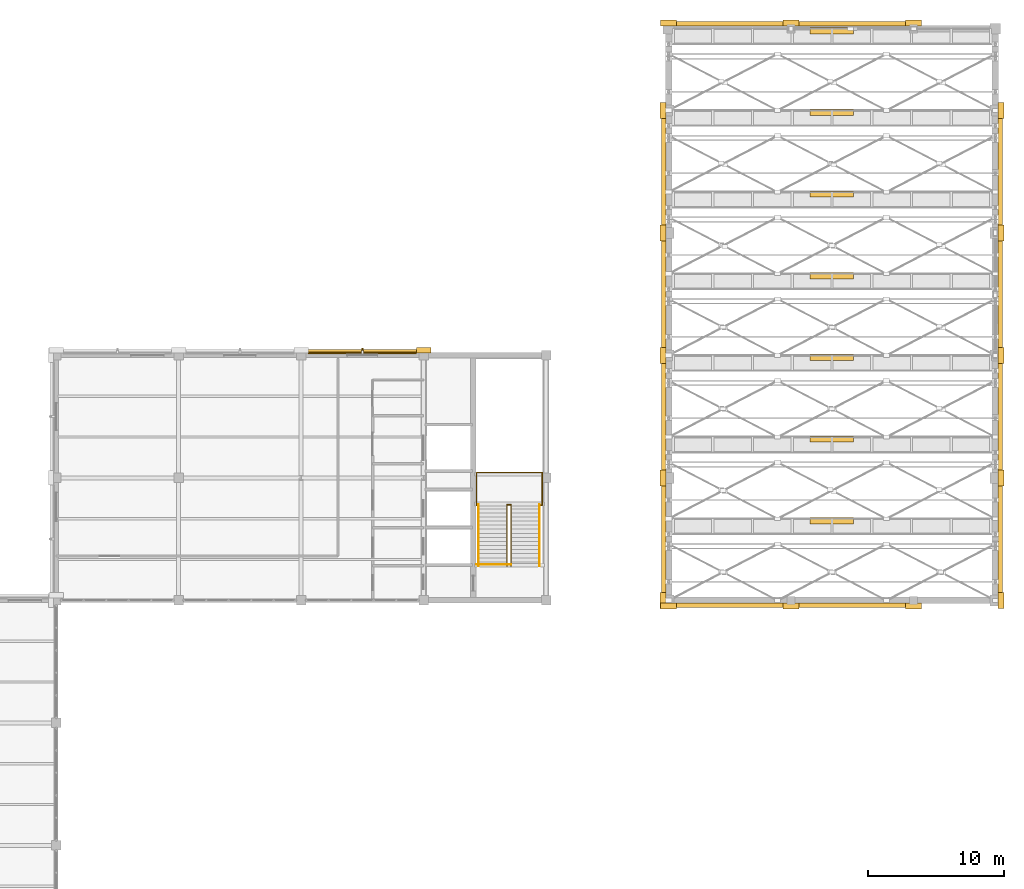
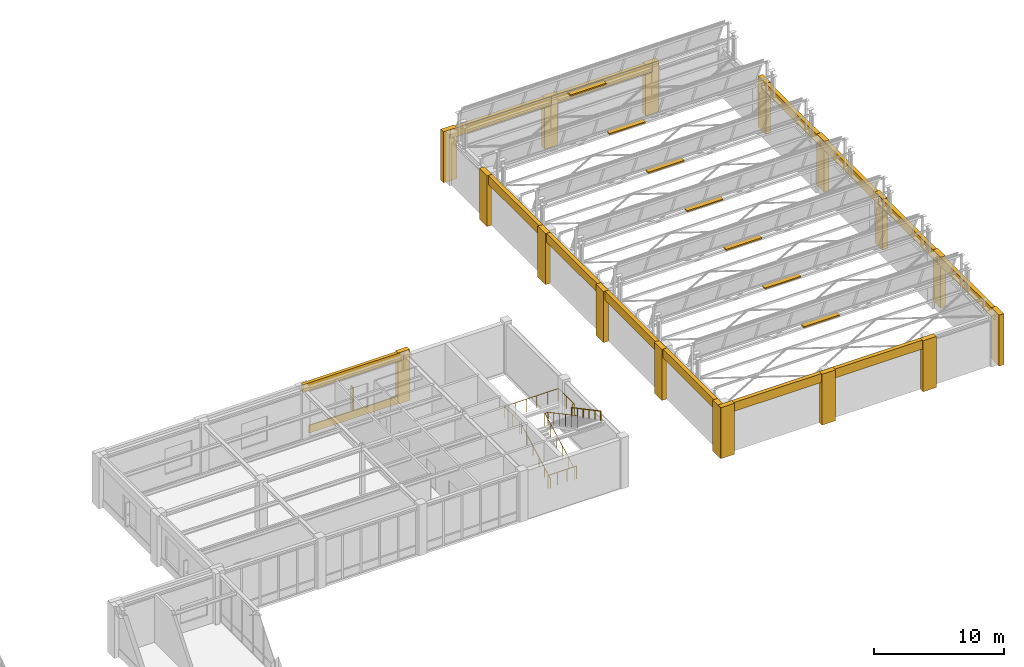
# One storey, part 98 of 98: 31 coverings, 8 shading devices, 5 railings.
"""IFC4 building model written with IfcOpenShell, lengths in metres."""

from ifc_helpers import new_model, si_unit, direction, frame, origin, origin_2d, place, context, subcontext, project, spatial, rectangle, circle, extrude, material, layer, layer_set, type_object, element, save


model = new_model("IFC4")

# Units and contexts
model_context = context("Model", 3, precision=1e-05, world=origin(), true_north=direction((0.0, 1.0)))
body_context = subcontext(model_context, "Body", "Model", "MODEL_VIEW")
ifc_project = project(units=[si_unit("LENGTHUNIT", "METRE"), si_unit("AREAUNIT", "SQUARE_METRE"), si_unit("VOLUMEUNIT", "CUBIC_METRE"), si_unit("PLANEANGLEUNIT", "RADIAN"), si_unit("MASSUNIT", "GRAM", prefix="KILO")], contexts=[model_context])

# Site, building, storey
site_placement = place(None, origin())
site = spatial("IfcSite", under=ifc_project, at=site_placement, CompositionType="ELEMENT")
building_placement = place(site_placement, origin())
building = spatial("IfcBuilding", under=site, at=building_placement, Name="Lykobir Media Centre", CompositionType="ELEMENT")
storey_placement = place(building_placement, frame((0.0, 0.0, 10.199951171875)))
storey = spatial("IfcBuildingStorey", under=building, at=storey_placement, Name="L02", CompositionType="ELEMENT", Elevation=10.199951171875)

# Coverings
ifc_material_1 = material(Name="Glazed Turquoise Terracotta", Category="masonry")
ifc_layer_1 = layer(ifc_material_1, 0.0400390625, Name="Glazed Turquoise Terracotta")
ifc_layer_set_1 = layer_set([ifc_layer_1], Name="Glazed Turquoise Terracotta")
covering_type_1 = type_object("IfcCoveringType", Name="CLD-TERR", PredefinedType="CLADDING", material=ifc_layer_set_1)
covering_1_placement = place(storey_placement, frame((121.5, 90.180908203125, 0.080078125), z_axis=(0.0, 0.0, 1.0), x_axis=(-1.0, 0.0, 0.0)))
element("IfcCovering", 1, at=covering_1_placement, inside=storey, type_object=covering_type_1, Name="Facade spandrel apron 428", PredefinedType="CLADDING", context=body_context, shape_type="SweptSolid", body=[
    extrude(rectangle(XDim=7.929931640625, YDim=0.10009765625, at=origin_2d()), origin(), (0.0, 0.0, 1.0), 0.719970703125),
])
ifc_material_2 = material(Name="Honed Travertine Stone", Category="masonry")
ifc_layer_2 = layer(ifc_material_2, 0.050048828125, Name="Honed Travertine Stone")
ifc_layer_set_2 = layer_set([ifc_layer_2], Name="Honed Travertine Stone")
covering_type_2 = type_object("IfcCoveringType", Name="CLD-TRAV", PredefinedType="CLADDING", material=ifc_layer_set_2)
covering_2_placement = place(storey_placement, frame((126.0, 90.3798828125, 0.0), z_axis=(0.0, 0.0, 1.0), x_axis=(-1.0, 0.0, 0.0)))
element("IfcCovering", 2, at=covering_2_placement, inside=storey, type_object=covering_type_2, Name="Travertine column pier 426", PredefinedType="CLADDING", context=body_context, shape_type="SweptSolid", body=[
    extrude(rectangle(XDim=1.06005859375, YDim=0.39990234375, at=origin_2d()), origin(), (0.0, 0.0, 1.0), 4.800048828125),
])
covering_3_placement = place(storey_placement, frame((121.5, 90.300048828125, 4.0400390625), z_axis=(0.0, 0.0, 1.0), x_axis=(-1.0, 0.0, 0.0)))
element("IfcCovering", 3, at=covering_3_placement, inside=storey, type_object=covering_type_2, Name="Travertine spandrel stringcourse 427", PredefinedType="CLADDING", context=body_context, shape_type="SweptSolid", body=[
    extrude(rectangle(XDim=9.0, YDim=0.280029296875, at=origin_2d()), origin(), (0.0, 0.0, 1.0), 0.760009765625),
])
covering_4_placement = place(storey_placement, frame((143.639892578125, 76.5, 3.9599609375), z_axis=(0.0, 0.0, 1.0), x_axis=(0.0, -1.0, 0.0)))
element("IfcCovering", 4, at=covering_4_placement, inside=storey, type_object=covering_type_2, Name="Acoustic hall cornice band 436", PredefinedType="CLADDING", context=body_context, shape_type="SweptSolid", body=[
    extrude(rectangle(XDim=9.0, YDim=0.340087890625, at=origin_2d()), origin(), (0.0, 0.0, 1.0), 0.840087890625),
])
for number, where, z_axis, x_axis, name in (
    (5, (143.580078125, 81.0, 0.0), (0.0, 0.0, 1.0), (0.0, -1.0, 0.0), "Stone pilaster 437"),
    (6, (143.580078125, 72.0, 0.0), (0.0, 0.0, 1.0), (0.0, -1.0, 0.0), "Stone pilaster 438"),
):
    element("IfcCovering", number, at=place(storey_placement, frame(where, z_axis=z_axis, x_axis=x_axis)), inside=storey, type_object=covering_type_2, Name=name, PredefinedType="CLADDING", context=body_context, shape_type="SweptSolid", body=[
        extrude(rectangle(XDim=1.179931640625, YDim=0.43994140625, at=origin_2d()), origin(), (0.0, 0.0, 1.0), 4.800048828125),
    ])
covering_5_placement = place(storey_placement, frame((143.639892578125, 85.5, 3.9599609375), z_axis=(0.0, 0.0, 1.0), x_axis=(0.0, -1.0, 0.0)))
element("IfcCovering", 7, at=covering_5_placement, inside=storey, type_object=covering_type_2, Name="Acoustic hall cornice band 439", PredefinedType="CLADDING", context=body_context, shape_type="SweptSolid", body=[
    extrude(rectangle(XDim=9.0, YDim=0.340087890625, at=origin_2d()), origin(), (0.0, 0.0, 1.0), 0.840087890625),
])
covering_6_placement = place(storey_placement, frame((143.580078125, 90.0, 0.0), z_axis=(0.0, 0.0, 1.0), x_axis=(0.0, -1.0, 0.0)))
element("IfcCovering", 8, at=covering_6_placement, inside=storey, type_object=covering_type_2, Name="Stone pilaster 440", PredefinedType="CLADDING", context=body_context, shape_type="SweptSolid", body=[
    extrude(rectangle(XDim=1.179931640625, YDim=0.43994140625, at=origin_2d()), origin(), (0.0, 0.0, 1.0), 4.800048828125),
])
covering_7_placement = place(storey_placement, frame((143.639892578125, 94.5, 3.9599609375), z_axis=(0.0, 0.0, 1.0), x_axis=(0.0, -1.0, 0.0)))
element("IfcCovering", 9, at=covering_7_placement, inside=storey, type_object=covering_type_2, Name="Acoustic hall cornice band 441", PredefinedType="CLADDING", context=body_context, shape_type="SweptSolid", body=[
    extrude(rectangle(XDim=9.0, YDim=0.340087890625, at=origin_2d()), origin(), (0.0, 0.0, 1.0), 0.840087890625),
])
covering_8_placement = place(storey_placement, frame((143.580078125, 99.0, 0.0), z_axis=(0.0, 0.0, 1.0), x_axis=(0.0, -1.0, 0.0)))
element("IfcCovering", 10, at=covering_8_placement, inside=storey, type_object=covering_type_2, Name="Stone pilaster 442", PredefinedType="CLADDING", context=body_context, shape_type="SweptSolid", body=[
    extrude(rectangle(XDim=1.179931640625, YDim=0.43994140625, at=origin_2d()), origin(), (0.0, 0.0, 1.0), 4.800048828125),
])
covering_9_placement = place(storey_placement, frame((143.639892578125, 103.5, 3.9599609375), z_axis=(0.0, 0.0, 1.0), x_axis=(0.0, -1.0, 0.0)))
element("IfcCovering", 11, at=covering_9_placement, inside=storey, type_object=covering_type_2, Name="Acoustic hall cornice band 443", PredefinedType="CLADDING", context=body_context, shape_type="SweptSolid", body=[
    extrude(rectangle(XDim=9.0, YDim=0.340087890625, at=origin_2d()), origin(), (0.0, 0.0, 1.0), 0.840087890625),
])
covering_10_placement = place(storey_placement, frame((143.580078125, 108.0, 0.0), z_axis=(0.0, 0.0, 1.0), x_axis=(0.0, -1.0, 0.0)))
element("IfcCovering", 12, at=covering_10_placement, inside=storey, type_object=covering_type_2, Name="Stone pilaster 444", PredefinedType="CLADDING", context=body_context, shape_type="SweptSolid", body=[
    extrude(rectangle(XDim=1.179931640625, YDim=0.43994140625, at=origin_2d()), origin(), (0.0, 0.0, 1.0), 4.800048828125),
])
covering_11_placement = place(storey_placement, frame((148.5, 71.639892578125, 3.9599609375), z_axis=(0.0, 0.0, 1.0), x_axis=(1.0, 0.0, 0.0)))
element("IfcCovering", 13, at=covering_11_placement, inside=storey, type_object=covering_type_2, Name="Acoustic hall cornice band 445", PredefinedType="CLADDING", context=body_context, shape_type="SweptSolid", body=[
    extrude(rectangle(XDim=9.0, YDim=0.340087890625, at=origin_2d()), origin(), (0.0, 0.0, 1.0), 0.840087890625),
])
for number, where, z_axis, x_axis, name in (
    (14, (144.0, 71.580078125, 0.0), (0.0, 0.0, 1.0), (1.0, 0.0, 0.0), "Stone pilaster 446"),
    (15, (153.0, 71.580078125, 0.0), (0.0, 0.0, 1.0), (1.0, 0.0, 0.0), "Stone pilaster 447"),
):
    element("IfcCovering", number, at=place(storey_placement, frame(where, z_axis=z_axis, x_axis=x_axis)), inside=storey, type_object=covering_type_2, Name=name, PredefinedType="CLADDING", context=body_context, shape_type="SweptSolid", body=[
        extrude(rectangle(XDim=1.179931640625, YDim=0.43994140625, at=origin_2d()), origin(), (0.0, 0.0, 1.0), 4.800048828125),
    ])
covering_12_placement = place(storey_placement, frame((157.5, 71.639892578125, 3.9599609375), z_axis=(0.0, 0.0, 1.0), x_axis=(1.0, 0.0, 0.0)))
element("IfcCovering", 16, at=covering_12_placement, inside=storey, type_object=covering_type_2, Name="Acoustic hall cornice band 448", PredefinedType="CLADDING", context=body_context, shape_type="SweptSolid", body=[
    extrude(rectangle(XDim=9.0, YDim=0.340087890625, at=origin_2d()), origin(), (0.0, 0.0, 1.0), 0.840087890625),
])
covering_13_placement = place(storey_placement, frame((162.0, 71.580078125, 0.0), z_axis=(0.0, 0.0, 1.0), x_axis=(1.0, 0.0, 0.0)))
element("IfcCovering", 17, at=covering_13_placement, inside=storey, type_object=covering_type_2, Name="Stone pilaster 449", PredefinedType="CLADDING", context=body_context, shape_type="SweptSolid", body=[
    extrude(rectangle(XDim=1.179931640625, YDim=0.43994140625, at=origin_2d()), origin(), (0.0, 0.0, 1.0), 4.800048828125),
])
covering_14_placement = place(storey_placement, frame((168.360107421875, 76.5, 3.9599609375), z_axis=(0.0, 0.0, 1.0), x_axis=(0.0, 1.0, 0.0)))
element("IfcCovering", 18, at=covering_14_placement, inside=storey, type_object=covering_type_2, Name="Acoustic hall cornice band 450", PredefinedType="CLADDING", context=body_context, shape_type="SweptSolid", body=[
    extrude(rectangle(XDim=9.0, YDim=0.340087890625, at=origin_2d()), origin(), (0.0, 0.0, 1.0), 0.840087890625),
])
for number, where, z_axis, x_axis, name in (
    (19, (168.419921875, 72.0, 0.0), (0.0, 0.0, 1.0), (0.0, 1.0, 0.0), "Stone pilaster 451"),
    (20, (168.419921875, 81.0, 0.0), (0.0, 0.0, 1.0), (0.0, 1.0, 0.0), "Stone pilaster 452"),
):
    element("IfcCovering", number, at=place(storey_placement, frame(where, z_axis=z_axis, x_axis=x_axis)), inside=storey, type_object=covering_type_2, Name=name, PredefinedType="CLADDING", context=body_context, shape_type="SweptSolid", body=[
        extrude(rectangle(XDim=1.179931640625, YDim=0.43994140625, at=origin_2d()), origin(), (0.0, 0.0, 1.0), 4.800048828125),
    ])
covering_15_placement = place(storey_placement, frame((168.360107421875, 85.5, 3.9599609375), z_axis=(0.0, 0.0, 1.0), x_axis=(0.0, 1.0, 0.0)))
element("IfcCovering", 21, at=covering_15_placement, inside=storey, type_object=covering_type_2, Name="Acoustic hall cornice band 453", PredefinedType="CLADDING", context=body_context, shape_type="SweptSolid", body=[
    extrude(rectangle(XDim=9.0, YDim=0.340087890625, at=origin_2d()), origin(), (0.0, 0.0, 1.0), 0.840087890625),
])
covering_16_placement = place(storey_placement, frame((168.419921875, 90.0, 0.0), z_axis=(0.0, 0.0, 1.0), x_axis=(0.0, 1.0, 0.0)))
element("IfcCovering", 22, at=covering_16_placement, inside=storey, type_object=covering_type_2, Name="Stone pilaster 454", PredefinedType="CLADDING", context=body_context, shape_type="SweptSolid", body=[
    extrude(rectangle(XDim=1.179931640625, YDim=0.43994140625, at=origin_2d()), origin(), (0.0, 0.0, 1.0), 4.800048828125),
])
covering_17_placement = place(storey_placement, frame((168.360107421875, 94.5, 3.9599609375), z_axis=(0.0, 0.0, 1.0), x_axis=(0.0, 1.0, 0.0)))
element("IfcCovering", 23, at=covering_17_placement, inside=storey, type_object=covering_type_2, Name="Acoustic hall cornice band 455", PredefinedType="CLADDING", context=body_context, shape_type="SweptSolid", body=[
    extrude(rectangle(XDim=9.0, YDim=0.340087890625, at=origin_2d()), origin(), (0.0, 0.0, 1.0), 0.840087890625),
])
covering_18_placement = place(storey_placement, frame((168.419921875, 99.0, 0.0), z_axis=(0.0, 0.0, 1.0), x_axis=(0.0, 1.0, 0.0)))
element("IfcCovering", 24, at=covering_18_placement, inside=storey, type_object=covering_type_2, Name="Stone pilaster 456", PredefinedType="CLADDING", context=body_context, shape_type="SweptSolid", body=[
    extrude(rectangle(XDim=1.179931640625, YDim=0.43994140625, at=origin_2d()), origin(), (0.0, 0.0, 1.0), 4.800048828125),
])
covering_19_placement = place(storey_placement, frame((168.360107421875, 103.5, 3.9599609375), z_axis=(0.0, 0.0, 1.0), x_axis=(0.0, 1.0, 0.0)))
element("IfcCovering", 25, at=covering_19_placement, inside=storey, type_object=covering_type_2, Name="Acoustic hall cornice band 457", PredefinedType="CLADDING", context=body_context, shape_type="SweptSolid", body=[
    extrude(rectangle(XDim=9.0, YDim=0.340087890625, at=origin_2d()), origin(), (0.0, 0.0, 1.0), 0.840087890625),
])
covering_20_placement = place(storey_placement, frame((168.419921875, 108.0, 0.0), z_axis=(0.0, 0.0, 1.0), x_axis=(0.0, 1.0, 0.0)))
element("IfcCovering", 26, at=covering_20_placement, inside=storey, type_object=covering_type_2, Name="Stone pilaster 458", PredefinedType="CLADDING", context=body_context, shape_type="SweptSolid", body=[
    extrude(rectangle(XDim=1.179931640625, YDim=0.43994140625, at=origin_2d()), origin(), (0.0, 0.0, 1.0), 4.800048828125),
])
covering_21_placement = place(storey_placement, frame((148.5, 114.360107421875, 3.9599609375), z_axis=(0.0, 0.0, 1.0), x_axis=(-1.0, 0.0, 0.0)))
element("IfcCovering", 27, at=covering_21_placement, inside=storey, type_object=covering_type_2, Name="Acoustic hall cornice band 459", PredefinedType="CLADDING", context=body_context, shape_type="SweptSolid", body=[
    extrude(rectangle(XDim=9.0, YDim=0.340087890625, at=origin_2d()), origin(), (0.0, 0.0, 1.0), 0.840087890625),
])
for number, where, z_axis, x_axis, name in (
    (28, (153.0, 114.419921875, 0.0), (0.0, 0.0, 1.0), (-1.0, 0.0, 0.0), "Stone pilaster 460"),
    (29, (144.0, 114.419921875, 0.0), (0.0, 0.0, 1.0), (-1.0, 0.0, 0.0), "Stone pilaster 461"),
):
    element("IfcCovering", number, at=place(storey_placement, frame(where, z_axis=z_axis, x_axis=x_axis)), inside=storey, type_object=covering_type_2, Name=name, PredefinedType="CLADDING", context=body_context, shape_type="SweptSolid", body=[
        extrude(rectangle(XDim=1.179931640625, YDim=0.43994140625, at=origin_2d()), origin(), (0.0, 0.0, 1.0), 4.800048828125),
    ])
covering_22_placement = place(storey_placement, frame((157.5, 114.360107421875, 3.9599609375), z_axis=(0.0, 0.0, 1.0), x_axis=(-1.0, 0.0, 0.0)))
element("IfcCovering", 30, at=covering_22_placement, inside=storey, type_object=covering_type_2, Name="Acoustic hall cornice band 462", PredefinedType="CLADDING", context=body_context, shape_type="SweptSolid", body=[
    extrude(rectangle(XDim=9.0, YDim=0.340087890625, at=origin_2d()), origin(), (0.0, 0.0, 1.0), 0.840087890625),
])
covering_23_placement = place(storey_placement, frame((162.0, 114.419921875, 0.0), z_axis=(0.0, 0.0, 1.0), x_axis=(-1.0, 0.0, 0.0)))
element("IfcCovering", 31, at=covering_23_placement, inside=storey, type_object=covering_type_2, Name="Stone pilaster 463", PredefinedType="CLADDING", context=body_context, shape_type="SweptSolid", body=[
    extrude(rectangle(XDim=1.179931640625, YDim=0.43994140625, at=origin_2d()), origin(), (0.0, 0.0, 1.0), 4.800048828125),
])

# Railings
ifc_material_3 = material(Name="Steel S355", Category="steel")
railing_type_1 = type_object("IfcRailingType", Name="GR-1200", PredefinedType="BALUSTRADE", material=ifc_material_3)
railing_1_placement = place(storey_placement, frame((129.8701171875, 74.6298828125, 0.0)))
element("IfcRailing", 32, at=railing_1_placement, inside=storey, type_object=railing_type_1, Name="ST-4 L02 arrival well guard", PredefinedType="BALUSTRADE", context=body_context, shape_type="SweptSolid", body=[
    extrude(circle(Radius=0.02392578125, at=origin_2d()), frame((0.0, 0.0, 1.17578125), z_axis=(1.0, 0.0, 0.0), x_axis=(0.0, 1.0, 0.0)), (0.0, 0.0, 1.0), 2.539794921875),
    extrude(circle(Radius=0.02099609375, at=origin_2d()), origin(), (0.0, 0.0, 1.0), 1.15185546875),
    extrude(circle(Radius=0.02099609375, at=origin_2d()), frame((0.8466796875, 0.0, 0.0)), (0.0, 0.0, 1.0), 1.15185546875),
    extrude(circle(Radius=0.02099609375, at=origin_2d()), frame((1.693115234375, 0.0, 0.0)), (0.0, 0.0, 1.0), 1.15185546875),
    extrude(circle(Radius=0.02099609375, at=origin_2d()), frame((2.539794921875, 0.0, 0.0)), (0.0, 0.0, 1.0), 1.15185546875),
])
railing_2_placement = place(storey_placement, frame((132.1298828125, 74.530029296875, 0.0)))
element("IfcRailing", 33, at=railing_2_placement, inside=storey, type_object=railing_type_1, Name="ST-4 L02 inner well and slot guard", PredefinedType="BALUSTRADE", context=body_context, shape_type="SweptSolid", body=[
    extrude(circle(Radius=0.02392578125, at=origin_2d()), frame((0.0, 0.0, 1.17578125), z_axis=(0.0, 0.882341014787, 0.470610596591), x_axis=(-1.0, 0.0, 0.0)), (0.0, 0.0, 1.0), 5.10009765625),
    extrude(circle(Radius=0.02392578125, at=origin_2d()), frame((0.0, 4.5, 3.576171875), z_axis=(1.0, 0.0, 0.0), x_axis=(0.0, 1.0, 0.0)), (0.0, 0.0, 1.0), 0.280029296875),
    extrude(circle(Radius=0.02392578125, at=origin_2d()), frame((0.280029296875, 4.5, 3.576171875), z_axis=(0.0, -0.882360891967, 0.470573327259), x_axis=(1.0, 0.0, 0.0)), (0.0, 0.0, 1.0), 5.099853515625),
    extrude(circle(Radius=0.02099609375, at=origin_2d()), origin(), (0.0, 0.0, 1.0), 1.15185546875),
    extrude(circle(Radius=0.02099609375, at=origin_2d()), frame((0.0, 0.89990234375, 0.47998046875)), (0.0, 0.0, 1.0), 1.15185546875),
    extrude(circle(Radius=0.02099609375, at=origin_2d()), frame((0.0, 1.800048828125, 0.9599609375)), (0.0, 0.0, 1.0), 1.15185546875),
    extrude(circle(Radius=0.02099609375, at=origin_2d()), frame((0.0, 2.699951171875, 1.440185546875)), (0.0, 0.0, 1.0), 1.15185546875),
    extrude(circle(Radius=0.02099609375, at=origin_2d()), frame((0.0, 3.60009765625, 1.920166015625)), (0.0, 0.0, 1.0), 1.15185546875),
    extrude(circle(Radius=0.02099609375, at=origin_2d()), frame((0.0, 4.5, 2.400146484375)), (0.0, 0.0, 1.0), 1.15185546875),
    extrude(circle(Radius=0.02099609375, at=origin_2d()), frame((0.280029296875, 4.5, 2.400146484375)), (0.0, 0.0, 1.0), 1.15185546875),
    extrude(circle(Radius=0.02099609375, at=origin_2d()), frame((0.280029296875, 3.60009765625, 2.880126953125)), (0.0, 0.0, 1.0), 1.15185546875),
    extrude(circle(Radius=0.02099609375, at=origin_2d()), frame((0.280029296875, 2.699951171875, 3.360107421875)), (0.0, 0.0, 1.0), 1.15185546875),
    extrude(circle(Radius=0.02099609375, at=origin_2d()), frame((0.280029296875, 1.800048828125, 3.840087890625)), (0.0, 0.0, 1.0), 1.15185546875),
    extrude(circle(Radius=0.02099609375, at=origin_2d()), frame((0.280029296875, 0.89990234375, 4.320068359375)), (0.0, 0.0, 1.0), 1.15185546875),
    extrude(circle(Radius=0.02099609375, at=origin_2d()), frame((0.280029296875, 0.0, 4.800048828125)), (0.0, 0.0, 1.0), 1.15185546875),
])
railing_3_placement = place(storey_placement, frame((129.989990234375, 78.989990234375, 2.400146484375)))
element("IfcRailing", 34, at=railing_3_placement, inside=storey, type_object=railing_type_1, Name="ST-4 L02 half-landing perimeter guard", PredefinedType="BALUSTRADE", context=body_context, shape_type="SweptSolid", body=[
    extrude(circle(Radius=0.02392578125, at=origin_2d()), frame((0.0, 0.0, 1.17578125), z_axis=(-1.0, 0.0, 0.0), x_axis=(0.0, -1.0, 0.0)), (0.0, 0.0, 1.0), 0.110107421875),
    extrude(circle(Radius=0.02392578125, at=origin_2d()), frame((-0.110107421875, 0.0, 1.17578125), z_axis=(0.0, 1.0, 0.0), x_axis=(-1.0, 0.0, 0.0)), (0.0, 0.0, 1.0), 2.39990234375),
    extrude(circle(Radius=0.02392578125, at=origin_2d()), frame((-0.110107421875, 2.39990234375, 1.17578125), z_axis=(1.0, 0.0, 0.0), x_axis=(0.0, 1.0, 0.0)), (0.0, 0.0, 1.0), 4.840087890625),
    extrude(circle(Radius=0.02392578125, at=origin_2d()), frame((4.72998046875, 2.39990234375, 1.17578125), z_axis=(0.0, -1.0, 0.0), x_axis=(1.0, 0.0, 0.0)), (0.0, 0.0, 1.0), 2.39990234375),
    extrude(circle(Radius=0.02392578125, at=origin_2d()), frame((4.72998046875, 0.0, 1.17578125), z_axis=(-1.0, 0.0, 0.0), x_axis=(0.0, -1.0, 0.0)), (0.0, 0.0, 1.0), 0.169921875),
    extrude(circle(Radius=0.02099609375, at=origin_2d()), origin(), (0.0, 0.0, 1.0), 1.15185546875),
    extrude(circle(Radius=0.02099609375, at=origin_2d()), frame((-0.110107421875, 0.0, 0.0)), (0.0, 0.0, 1.0), 1.15185546875),
    extrude(circle(Radius=0.02099609375, at=origin_2d()), frame((-0.110107421875, 1.199951171875, 0.0)), (0.0, 0.0, 1.0), 1.15185546875),
    extrude(circle(Radius=0.02099609375, at=origin_2d()), frame((-0.110107421875, 2.39990234375, 0.0)), (0.0, 0.0, 1.0), 1.15185546875),
    extrude(circle(Radius=0.02099609375, at=origin_2d()), frame((0.85791015625, 2.39990234375, 0.0)), (0.0, 0.0, 1.0), 1.15185546875),
    extrude(circle(Radius=0.02099609375, at=origin_2d()), frame((1.825927734375, 2.39990234375, 0.0)), (0.0, 0.0, 1.0), 1.15185546875),
    extrude(circle(Radius=0.02099609375, at=origin_2d()), frame((2.7939453125, 2.39990234375, 0.0)), (0.0, 0.0, 1.0), 1.15185546875),
    extrude(circle(Radius=0.02099609375, at=origin_2d()), frame((3.761962890625, 2.39990234375, 0.0)), (0.0, 0.0, 1.0), 1.15185546875),
    extrude(circle(Radius=0.02099609375, at=origin_2d()), frame((4.72998046875, 2.39990234375, 0.0)), (0.0, 0.0, 1.0), 1.15185546875),
    extrude(circle(Radius=0.02099609375, at=origin_2d()), frame((4.72998046875, 1.199951171875, 0.0)), (0.0, 0.0, 1.0), 1.15185546875),
    extrude(circle(Radius=0.02099609375, at=origin_2d()), frame((4.72998046875, 0.0, 0.0)), (0.0, 0.0, 1.0), 1.15185546875),
    extrude(circle(Radius=0.02099609375, at=origin_2d()), frame((4.56005859375, 0.0, 0.0)), (0.0, 0.0, 1.0), 1.15185546875),
])
railing_type_2 = type_object("IfcRailingType", Name="HR-0900", PredefinedType="HANDRAIL", material=ifc_material_3)
railing_4_placement = place(storey_placement, frame((130.030029296875, 74.530029296875, 0.0)))
element("IfcRailing", 35, at=railing_4_placement, inside=storey, type_object=railing_type_2, Name="ST-4 L02 F1 wall handrail", PredefinedType="HANDRAIL", context=body_context, shape_type="SweptSolid", body=[
    extrude(circle(Radius=0.02392578125, at=origin_2d()), frame((0.0, 0.0, 0.8759765625), z_axis=(0.0, 0.882341014787, 0.470610596591), x_axis=(-1.0, 0.0, 0.0)), (0.0, 0.0, 1.0), 5.10009765625),
    extrude(circle(Radius=0.02099609375, at=origin_2d()), origin(), (0.0, 0.0, 1.0), 0.851806640625),
    extrude(circle(Radius=0.02099609375, at=origin_2d()), frame((0.0, 0.89990234375, 0.47998046875)), (0.0, 0.0, 1.0), 0.851806640625),
    extrude(circle(Radius=0.02099609375, at=origin_2d()), frame((0.0, 1.800048828125, 0.9599609375)), (0.0, 0.0, 1.0), 0.851806640625),
    extrude(circle(Radius=0.02099609375, at=origin_2d()), frame((0.0, 2.699951171875, 1.440185546875)), (0.0, 0.0, 1.0), 0.851806640625),
    extrude(circle(Radius=0.02099609375, at=origin_2d()), frame((0.0, 3.60009765625, 1.920166015625)), (0.0, 0.0, 1.0), 0.851806640625),
    extrude(circle(Radius=0.02099609375, at=origin_2d()), frame((0.0, 4.5, 2.400146484375)), (0.0, 0.0, 1.0), 0.851806640625),
])
railing_5_placement = place(storey_placement, frame((134.510009765625, 79.030029296875, 2.400146484375)))
element("IfcRailing", 36, at=railing_5_placement, inside=storey, type_object=railing_type_2, Name="ST-4 L02 F2 wall handrail", PredefinedType="HANDRAIL", context=body_context, shape_type="SweptSolid", body=[
    extrude(circle(Radius=0.02392578125, at=origin_2d()), frame((0.0, 0.0, 0.8759765625), z_axis=(0.0, -0.882360891967, 0.470573327259), x_axis=(1.0, 0.0, 0.0)), (0.0, 0.0, 1.0), 5.099853515625),
    extrude(circle(Radius=0.02099609375, at=origin_2d()), origin(), (0.0, 0.0, 1.0), 0.851806640625),
    extrude(circle(Radius=0.02099609375, at=origin_2d()), frame((0.0, -0.89990234375, 0.47998046875)), (0.0, 0.0, 1.0), 0.851806640625),
    extrude(circle(Radius=0.02099609375, at=origin_2d()), frame((0.0, -1.800048828125, 0.9599609375)), (0.0, 0.0, 1.0), 0.851806640625),
    extrude(circle(Radius=0.02099609375, at=origin_2d()), frame((0.0, -2.699951171875, 1.43994140625)), (0.0, 0.0, 1.0), 0.851806640625),
    extrude(circle(Radius=0.02099609375, at=origin_2d()), frame((0.0, -3.60009765625, 1.919921875)), (0.0, 0.0, 1.0), 0.851806640625),
    extrude(circle(Radius=0.02099609375, at=origin_2d()), frame((0.0, -4.5, 2.39990234375)), (0.0, 0.0, 1.0), 0.851806640625),
])

# Shading devices
shading_device_type_1 = type_object("IfcShadingDeviceType", Name="SHD-FIN", PredefinedType="USERDEFINED", material=ifc_material_1)
shading_device_placement = place(storey_placement, frame((121.5, 90.3349609375, 0.72509765625), z_axis=(0.0, 0.0, 1.0), x_axis=(-1.0, 0.0, 0.0)))
element("IfcShadingDevice", 37, at=shading_device_placement, inside=storey, type_object=shading_device_type_1, Name="Terracotta shading fin 23", ObjectType="FIN", PredefinedType="USERDEFINED", context=body_context, shape_type="SweptSolid", body=[
    extrude(rectangle(XDim=0.1201171875, YDim=0.35009765625, at=origin_2d()), origin(), (0.0, 0.0, 1.0), 2.25),
])
ifc_material_4 = material(Name="Anodized Aluminium AW-6060", Category="aluminium")
shading_device_type_2 = type_object("IfcShadingDeviceType", Name="SHD-LOUV", PredefinedType="JALOUSIE", material=ifc_material_4)
for number, where, z_axis, x_axis, name in (
    (38, (156.0, 77.85009765625, 4.659912109375), (0.0, 0.0, 1.0), (1.0, 0.0, 0.0), "V2 sawtooth solar louvre 1"),
    (39, (156.0, 83.85009765625, 4.659912109375), (0.0, 0.0, 1.0), (1.0, 0.0, 0.0), "V2 sawtooth solar louvre 2"),
    (40, (156.0, 89.85009765625, 4.659912109375), (0.0, 0.0, 1.0), (1.0, 0.0, 0.0), "V2 sawtooth solar louvre 3"),
    (41, (156.0, 95.85009765625, 4.659912109375), (0.0, 0.0, 1.0), (1.0, 0.0, 0.0), "V2 sawtooth solar louvre 4"),
    (42, (156.0, 101.85009765625, 4.659912109375), (0.0, 0.0, 1.0), (1.0, 0.0, 0.0), "V2 sawtooth solar louvre 5"),
    (43, (156.0, 107.85009765625, 4.659912109375), (0.0, 0.0, 1.0), (1.0, 0.0, 0.0), "V2 sawtooth solar louvre 6"),
    (44, (156.0, 113.85009765625, 4.659912109375), (0.0, 0.0, 1.0), (1.0, 0.0, 0.0), "V2 sawtooth solar louvre 7"),
):
    element("IfcShadingDevice", number, at=place(storey_placement, frame(where, z_axis=z_axis, x_axis=x_axis)), inside=storey, type_object=shading_device_type_2, Name=name, PredefinedType="JALOUSIE", context=body_context, shape_type="SweptSolid", body=[
        extrude(rectangle(XDim=3.199951171875, YDim=0.449951171875, at=origin_2d()), origin(), (0.0, 0.0, 1.0), 0.1201171875),
    ])

save(model, "model.ifc")
